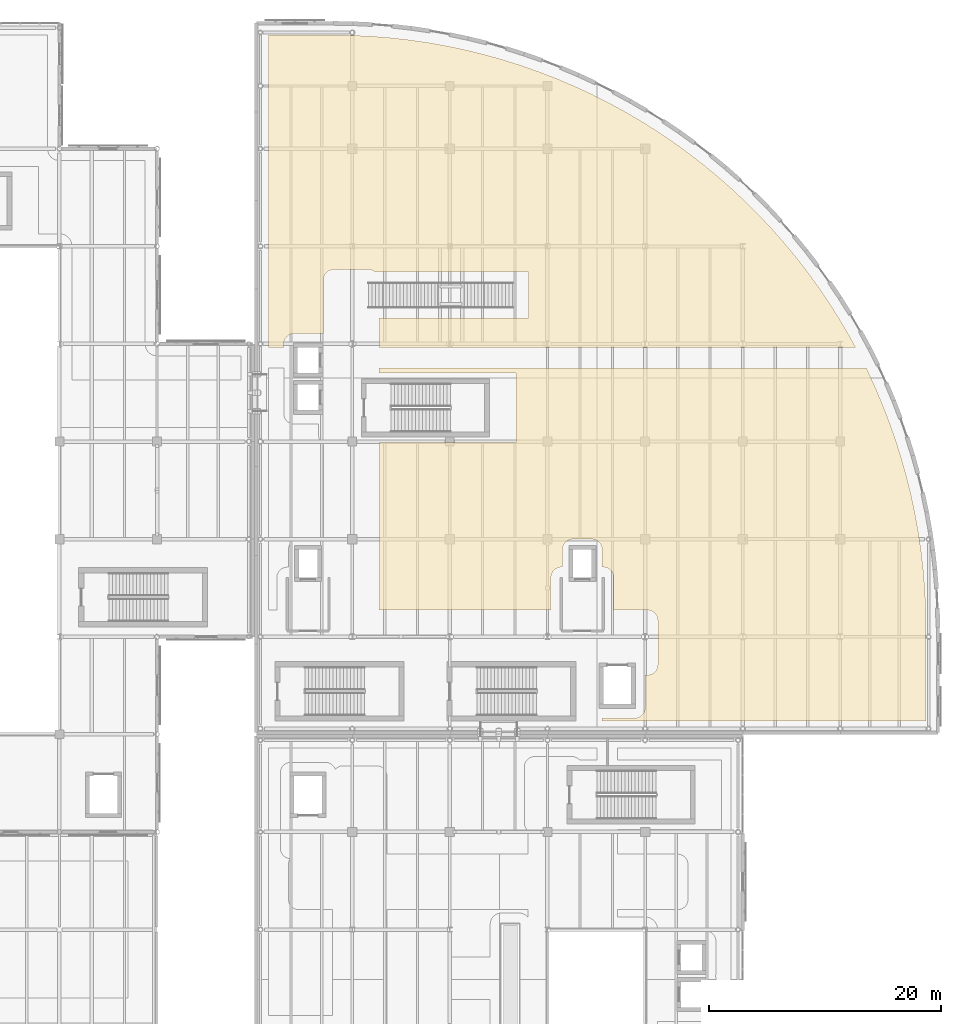
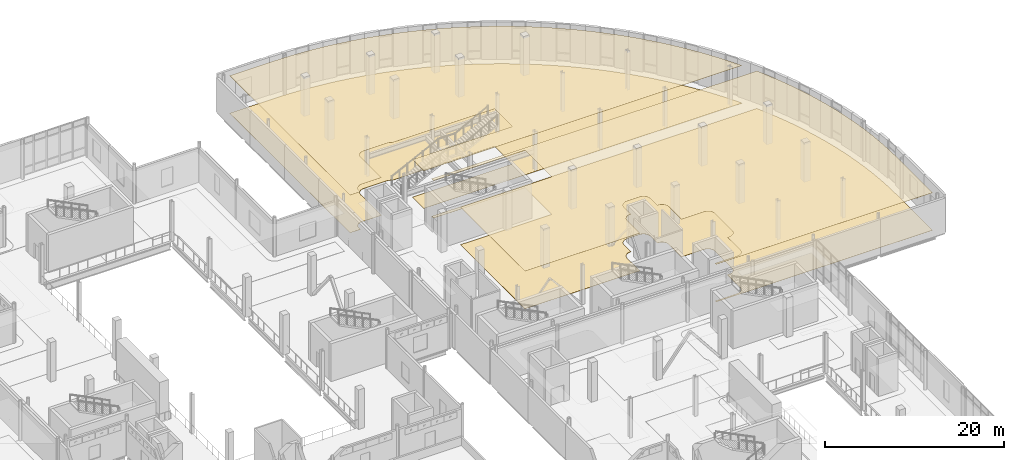
# One storey, part 108 of 110: 4 coverings.
"""IFC4 building model written with IfcOpenShell, lengths in metres."""

import ifcopenshell
import ifcopenshell.guid

model = None  # the IFC model being written
_history = None  # IfcOwnerHistory: only IFC2X3 demands one
_inside = {}  # id of a spatial element -> (the spatial element, [elements in it])
_under = {}  # id of a project, library or spatial element -> (it, [spatial elements below it])
_declared = {}  # id of a project -> (the project, [libraries it declares])
_typed = {}  # id of a type object -> (the type object, [elements of that type])
_made_of = {}  # id of a material, layer set ... -> (it, [elements and type objects made of it])


def new_model(schema):
    """Start an empty IFC model of exactly this schema.

    Asked for "IFC4X3", IfcOpenShell would pick the latest addendum, in which some entities
    have other attributes; the version numbers below select the first issue.
    IFC2X3 requires an IfcOwnerHistory on every rooted entity: one is made here for all.
    """
    global model, _history
    if schema == "IFC4X3":
        model = ifcopenshell.file(schema_version=(4, 3, 0, 0))
    else:
        model = ifcopenshell.file(schema=schema)
    _inside.clear()
    _under.clear()
    _declared.clear()
    _typed.clear()
    _made_of.clear()
    _history = None
    if model.schema == "IFC2X3":
        org = make("IfcOrganization", Name="unknown")
        user = make(
            "IfcPersonAndOrganization",
            ThePerson=make("IfcPerson", FamilyName="unknown"),
            TheOrganization=org,
        )
        app = make(
            "IfcApplication",
            ApplicationDeveloper=org,
            Version="unknown",
            ApplicationFullName="unknown",
            ApplicationIdentifier="unknown",
        )
        _history = make(
            "IfcOwnerHistory",
            OwningUser=user,
            OwningApplication=app,
            ChangeAction="ADDED",
            CreationDate=0,
        )
    return model


def make(cls, **values):
    """One entity of the class cls with the attributes given. An attribute that is None is left unset."""
    return model.create_entity(
        cls, **{name: value for name, value in values.items() if value is not None}
    )


def rooted(cls, **values):
    """An entity with a GlobalId (a new one), such as an element, a storey or a relation."""
    return make(cls, GlobalId=ifcopenshell.guid.new(), OwnerHistory=_history, **values)


def si_unit(unit_type, name, prefix=None):
    """IfcSIUnit, for example si_unit("LENGTHUNIT", "METRE", prefix="MILLI")."""
    return make("IfcSIUnit", UnitType=unit_type, Prefix=prefix, Name=name)


def assignment(units):
    """IfcUnitAssignment: the units of a project."""
    return None if units is None else make("IfcUnitAssignment", Units=units)


def point(xyz):
    """IfcCartesianPoint."""
    return None if xyz is None else make("IfcCartesianPoint", Coordinates=xyz)


def direction(xyz):
    """IfcDirection."""
    return None if xyz is None else make("IfcDirection", DirectionRatios=xyz)


def frame(location, z_axis=None, x_axis=None):
    """IfcAxis2Placement3D, a coordinate frame: its origin and axes. An axis left out is left unset."""
    return make(
        "IfcAxis2Placement3D",
        Location=point(location),
        Axis=direction(z_axis),
        RefDirection=direction(x_axis),
    )


def origin():
    """The frame at (0, 0, 0) with its axes left unset."""
    return frame((0.0, 0.0, 0.0))


def place(relative_to, where):
    """IfcLocalPlacement: puts the frame where relative to a parent placement (None: the world)."""
    return make(
        "IfcLocalPlacement", PlacementRelTo=relative_to, RelativePlacement=where
    )


def context(
    kind, dimensions, precision=None, world=None, true_north=None, identifier=None
):
    """IfcGeometricRepresentationContext, for example the 3D "Model" context."""
    return make(
        "IfcGeometricRepresentationContext",
        ContextIdentifier=identifier,
        ContextType=kind,
        CoordinateSpaceDimension=dimensions,
        Precision=precision,
        WorldCoordinateSystem=world,
        TrueNorth=true_north,
    )


def subcontext(parent, identifier, kind, view, scale=None):
    """IfcGeometricRepresentationSubContext, for example "Body" below "Model"."""
    return make(
        "IfcGeometricRepresentationSubContext",
        ContextIdentifier=identifier,
        ContextType=kind,
        ParentContext=parent,
        TargetScale=scale,
        TargetView=view,
    )


def project(units=None, contexts=None):
    """IfcProject with its units and contexts."""
    return rooted(
        "IfcProject",
        Name="project",
        RepresentationContexts=contexts,
        UnitsInContext=assignment(units),
    )


def spatial(cls, under=None, at=None, **own):
    """A site, building, storey or space (cls), placed at a placement, below another one or the project."""
    s = rooted(cls, ObjectPlacement=at, **own)
    if under is not None:
        _under.setdefault(under.id(), (under, []))[1].append(s)
    return s


def polyline(points):
    """IfcPolyline through the points."""
    return make("IfcPolyline", Points=[point(p) for p in points])


def outline(outer, holes=None, kind="AREA"):
    """IfcArbitraryClosedProfileDef: a profile drawn as a closed curve; with holes, ...WithVoids."""
    if holes is None:
        return make("IfcArbitraryClosedProfileDef", ProfileType=kind, OuterCurve=outer)
    return make(
        "IfcArbitraryProfileDefWithVoids",
        ProfileType=kind,
        OuterCurve=outer,
        InnerCurves=holes,
    )


def extrude(swept, where, along, depth):
    """IfcExtrudedAreaSolid: the profile swept, set in the frame where, extruded along a direction by depth."""
    return make(
        "IfcExtrudedAreaSolid",
        SweptArea=swept,
        Position=where,
        ExtrudedDirection=direction(along),
        Depth=depth,
    )


def shape(context_of_items, identifier, shape_type, items):
    """IfcShapeRepresentation: the items that make up one representation, for example the "Body"."""
    return make(
        "IfcShapeRepresentation",
        ContextOfItems=context_of_items,
        RepresentationIdentifier=identifier,
        RepresentationType=shape_type,
        Items=items,
    )


def material(Name=None, Category=None):
    """IfcMaterial."""
    return make("IfcMaterial", Name=Name, Category=Category)


def layer(
    of_material, thickness, ventilated=None, Name=None, Category=None, Priority=None
):
    """IfcMaterialLayer: one layer of a wall or slab, of a material (None: an air gap)."""
    return make(
        "IfcMaterialLayer",
        Material=of_material,
        LayerThickness=thickness,
        IsVentilated=ventilated,
        Name=Name,
        Category=Category,
        Priority=Priority,
    )


def layer_set(layers, Name=None):
    """IfcMaterialLayerSet."""
    return make("IfcMaterialLayerSet", MaterialLayers=layers, LayerSetName=Name)


def made_of(thing, what):
    """Note that an element or type object is made of a material, layer set ...; save() writes the relation."""
    if what is not None:
        _made_of.setdefault(what.id(), (what, []))[1].append(thing)
    return thing


def type_object(cls, material=None, **own):
    """A type object (cls), such as IfcWallType, which elements share."""
    return made_of(rooted(cls, **own), material)


def element(
    cls,
    number,
    at=None,
    inside=None,
    cuts=None,
    type_object=None,
    material=None,
    context=None,
    identifier="Body",
    shape_type=None,
    held_by="IfcProductDefinitionShape",
    body=None,
    shapes=None,
    **own,
):
    """One element of the class cls, such as IfcWall. Its Tag is "e" and its number.

    at: its placement. inside: the storey or other place that contains it. cuts: it is an
    opening in that element (IfcRelVoidsElement). A single representation is given by context,
    identifier, shape_type and body (its items); several are given by shapes. held_by: the class
    of the entity that holds the representations. save() writes the other relations.
    """
    e = rooted(cls, Tag="e%d" % number, ObjectPlacement=at, **own)
    if body is not None:
        shapes = [shape(context, identifier, shape_type, body)]
    if shapes is not None:
        e.Representation = make(held_by, Representations=shapes)
    if inside is not None:
        _inside.setdefault(inside.id(), (inside, []))[1].append(e)
    if cuts is not None:
        rooted(
            "IfcRelVoidsElement", RelatingBuildingElement=cuts, RelatedOpeningElement=e
        )
    if type_object is not None:
        _typed.setdefault(type_object.id(), (type_object, []))[1].append(e)
    return made_of(e, material)


def aggregate(whole, parts):
    """IfcRelAggregates: a whole, such as a stair, and the parts it consists of."""
    return rooted("IfcRelAggregates", RelatingObject=whole, RelatedObjects=parts)


def save(model, path):
    """Write the relations noted so far, then the file.

    IfcRelAggregates (storeys below a building ...), IfcRelContainedInSpatialStructure (elements
    in a storey), IfcRelDefinesByType, IfcRelAssociatesMaterial and IfcRelDeclares: one each for
    every whole, place, type object, material and project.
    """
    for whole, parts in _under.values():
        aggregate(whole, parts)
    for where, things in _inside.values():
        rooted(
            "IfcRelContainedInSpatialStructure",
            RelatedElements=things,
            RelatingStructure=where,
        )
    for kind, things in _typed.values():
        rooted("IfcRelDefinesByType", RelatedObjects=things, RelatingType=kind)
    for what, things in _made_of.values():
        rooted("IfcRelAssociatesMaterial", RelatedObjects=things, RelatingMaterial=what)
    for by, libraries in _declared.values():
        rooted("IfcRelDeclares", RelatingContext=by, RelatedDefinitions=libraries)
    model.write(path)


model = new_model("IFC4")

# Units and contexts
model_context = context("Model", 3, precision=1e-05, world=origin(), true_north=direction((0.0, 1.0)))
body_context = subcontext(model_context, "Body", "Model", "MODEL_VIEW")
ifc_project = project(units=[si_unit("LENGTHUNIT", "METRE"), si_unit("AREAUNIT", "SQUARE_METRE"), si_unit("VOLUMEUNIT", "CUBIC_METRE"), si_unit("PLANEANGLEUNIT", "RADIAN"), si_unit("MASSUNIT", "GRAM", prefix="KILO"), si_unit("THERMODYNAMICTEMPERATUREUNIT", "KELVIN")], contexts=[model_context])

# Site, building, storey
site_placement = place(None, origin())
site = spatial("IfcSite", under=ifc_project, at=site_placement, CompositionType="ELEMENT")
building_placement = place(site_placement, origin())
building = spatial("IfcBuilding", under=site, at=building_placement, Name="Lustrewick Department Store", CompositionType="ELEMENT")
storey_placement = place(building_placement, frame((0.0, 0.0, 6.0)))
storey = spatial("IfcBuildingStorey", under=building, at=storey_placement, Name="L02", CompositionType="ELEMENT", Elevation=6.0)

# Coverings
ifc_material_1 = material(Name="Perforated mineral-fibre acoustic ceiling board", Category="gypsum")
ifc_layer_1 = layer(ifc_material_1, 0.02490234375, Name="Perforated mineral-fibre acoustic ceiling board")
ifc_layer_set_1 = layer_set([ifc_layer_1], Name="Perforated mineral-fibre acoustic ceiling board")
covering_type_1 = type_object("IfcCoveringType", Name="COV-CEIL", PredefinedType="CEILING", material=ifc_layer_set_1)
covering_1_placement = place(storey_placement, frame((0.0, 0.0, 5.1201171875)))
element("IfcCovering", 1, at=covering_1_placement, inside=storey, type_object=covering_type_1, Name="L02 Womenswear Fashion Boutique Acoustic Ceiling", PredefinedType="CEILING", context=body_context, shape_type="SweptSolid", body=[
    extrude(outline(polyline([(139.080078125, 51.81005859375), (139.080078125, 51.570068359375), (166.97998046875, 51.570068359375), (166.97998046875, 59.591796875), (166.95361328125, 61.23388671875), (166.875244140625, 62.8662109375), (166.744384765625, 64.495361328125), (166.561279296875, 66.119140625), (166.326416015625, 67.736328125), (166.039794921875, 69.34521484375), (165.701904296875, 70.944091796875), (165.3125, 72.53125), (164.872802734375, 74.105224609375), (164.3828125, 75.664306640625), (163.843017578125, 77.206787109375), (163.254150390625, 78.731201171875), (162.61669921875, 80.235595703125), (161.93115234375, 81.719482421875), (161.832763671875, 81.915771484375), (119.889892578125, 81.915771484375), (119.889892578125, 81.489990234375), (129.0029296875, 81.489990234375), (129.087646484375, 81.48583984375), (129.126708984375, 81.47998046875), (131.679931640625, 81.47998046875), (131.679931640625, 75.52001953125), (129.126708984375, 75.52001953125), (129.087646484375, 75.51416015625), (129.0029296875, 75.510009765625), (119.889892578125, 75.510009765625), (119.889892578125, 61.090087890625), (134.7099609375, 61.090087890625), (134.7099609375, 63.903076171875), (134.714111328125, 63.98779296875), (134.726806640625, 64.071533203125), (134.727294921875, 64.074951171875), (134.731201171875, 64.092529296875), (134.731689453125, 64.095703125), (134.75439453125, 64.178466796875), (134.785400390625, 64.258544921875), (134.787841796875, 64.263671875), (134.821044921875, 64.33056640625), (134.8232421875, 64.33447265625), (134.86083984375, 64.39599609375), (134.903564453125, 64.4541015625), (134.906982421875, 64.45849609375), (134.970703125, 64.529296875), (135.04150390625, 64.593017578125), (135.0458984375, 64.596435546875), (135.10400390625, 64.63916015625), (135.16552734375, 64.6767578125), (135.16943359375, 64.678955078125), (135.236328125, 64.712158203125), (135.241455078125, 64.714599609375), (135.321533203125, 64.74560546875), (135.404296875, 64.768310546875), (135.407470703125, 64.768798828125), (135.425048828125, 64.772705078125), (135.428466796875, 64.773193359375), (135.51220703125, 64.785888671875), (135.596923828125, 64.7900390625), (135.699951171875, 64.7900390625), (135.699951171875, 66.301025390625), (135.700927734375, 66.343017578125), (135.701416015625, 66.34814453125), (135.71044921875, 66.43701171875), (135.71142578125, 66.443115234375), (135.72900390625, 66.52587890625), (135.72998046875, 66.53076171875), (135.741455078125, 66.56982421875), (135.742919921875, 66.574462890625), (135.769775390625, 66.6474609375), (135.802978515625, 66.7177734375), (135.80517578125, 66.721923828125), (135.823486328125, 66.7548828125), (135.82568359375, 66.758544921875), (135.857421875, 66.80859375), (135.8603515625, 66.812744140625), (135.907958984375, 66.87548828125), (135.9609375, 66.93359375), (135.96630859375, 66.93896484375), (136.0244140625, 66.9921875), (136.087158203125, 67.03955078125), (136.091552734375, 67.04248046875), (136.1416015625, 67.074462890625), (136.145263671875, 67.07666015625), (136.177978515625, 67.094970703125), (136.18212890625, 67.09716796875), (136.25244140625, 67.13037109375), (136.32568359375, 67.156982421875), (136.330078125, 67.158447265625), (136.369384765625, 67.169921875), (136.3740234375, 67.171142578125), (136.456787109375, 67.1884765625), (136.462890625, 67.189453125), (136.552001953125, 67.19873046875), (136.55712890625, 67.198974609375), (136.59912109375, 67.199951171875), (138.200927734375, 67.199951171875), (138.242919921875, 67.198974609375), (138.248046875, 67.19873046875), (138.337158203125, 67.189453125), (138.343017578125, 67.1884765625), (138.42578125, 67.171142578125), (138.4306640625, 67.169921875), (138.469970703125, 67.158447265625), (138.474365234375, 67.156982421875), (138.547607421875, 67.13037109375), (138.617919921875, 67.09716796875), (138.621826171875, 67.094970703125), (138.65478515625, 67.07666015625), (138.658447265625, 67.074462890625), (138.70849609375, 67.04248046875), (138.712890625, 67.03955078125), (138.775390625, 66.9921875), (138.833740234375, 66.93896484375), (138.839111328125, 66.93359375), (138.89208984375, 66.87548828125), (138.939697265625, 66.812744140625), (138.942626953125, 66.80859375), (138.974365234375, 66.758544921875), (138.9765625, 66.7548828125), (138.994873046875, 66.721923828125), (138.9970703125, 66.7177734375), (139.0302734375, 66.6474609375), (139.05712890625, 66.574462890625), (139.05859375, 66.56982421875), (139.06982421875, 66.53076171875), (139.071044921875, 66.52587890625), (139.08837890625, 66.443115234375), (139.089599609375, 66.43701171875), (139.0986328125, 66.34814453125), (139.09912109375, 66.343017578125), (139.10009765625, 66.301025390625), (139.10009765625, 64.7900390625), (139.202880859375, 64.7900390625), (139.28759765625, 64.785888671875), (139.37158203125, 64.773193359375), (139.375, 64.772705078125), (139.392578125, 64.768798828125), (139.395751953125, 64.768310546875), (139.478515625, 64.74560546875), (139.55859375, 64.714599609375), (139.563720703125, 64.712158203125), (139.630615234375, 64.678955078125), (139.634521484375, 64.6767578125), (139.69580078125, 64.63916015625), (139.75390625, 64.596435546875), (139.758544921875, 64.593017578125), (139.829345703125, 64.529296875), (139.892822265625, 64.45849609375), (139.896484375, 64.4541015625), (139.939208984375, 64.39599609375), (139.976806640625, 64.33447265625), (139.97900390625, 64.33056640625), (140.01220703125, 64.263671875), (140.013427734375, 64.26123046875), (140.0146484375, 64.258544921875), (140.04541015625, 64.178466796875), (140.068115234375, 64.095703125), (140.06884765625, 64.092529296875), (140.072509765625, 64.074951171875), (140.0732421875, 64.071533203125), (140.085693359375, 63.98779296875), (140.090087890625, 63.903076171875), (140.090087890625, 61.090087890625), (143.0029296875, 61.090087890625), (143.087646484375, 61.085693359375), (143.171630859375, 61.0732421875), (143.175048828125, 61.072509765625), (143.1923828125, 61.06884765625), (143.19580078125, 61.068115234375), (143.278564453125, 61.04541015625), (143.3583984375, 61.0146484375), (143.361083984375, 61.013427734375), (143.36376953125, 61.01220703125), (143.430419921875, 60.97900390625), (143.434326171875, 60.976806640625), (143.495849609375, 60.939208984375), (143.553955078125, 60.896484375), (143.55859375, 60.892822265625), (143.62939453125, 60.829345703125), (143.69287109375, 60.758544921875), (143.696533203125, 60.75390625), (143.739013671875, 60.69580078125), (143.776611328125, 60.634521484375), (143.77880859375, 60.630615234375), (143.812255859375, 60.563720703125), (143.814697265625, 60.55859375), (143.845458984375, 60.478515625), (143.8681640625, 60.395751953125), (143.868896484375, 60.392578125), (143.87255859375, 60.375), (143.873291015625, 60.37158203125), (143.8857421875, 60.28759765625), (143.889892578125, 60.202880859375), (143.889892578125, 56.39697265625), (143.8857421875, 56.312255859375), (143.873291015625, 56.228515625), (143.87255859375, 56.22509765625), (143.868896484375, 56.20751953125), (143.8681640625, 56.204345703125), (143.845458984375, 56.12158203125), (143.814697265625, 56.04150390625), (143.812255859375, 56.036376953125), (143.77880859375, 55.969482421875), (143.776611328125, 55.965576171875), (143.739013671875, 55.904052734375), (143.696533203125, 55.845947265625), (143.69287109375, 55.84130859375), (143.62939453125, 55.7705078125), (143.55859375, 55.70703125), (143.553955078125, 55.70361328125), (143.495849609375, 55.660888671875), (143.434326171875, 55.623291015625), (143.430419921875, 55.62109375), (143.36376953125, 55.587890625), (143.3583984375, 55.58544921875), (143.278564453125, 55.554443359375), (143.19580078125, 55.53173828125), (143.1923828125, 55.531005859375), (143.175048828125, 55.52734375), (143.171630859375, 55.526611328125), (143.087646484375, 55.51416015625), (143.0029296875, 55.510009765625), (142.7900390625, 55.510009765625), (142.7900390625, 52.697021484375), (142.785888671875, 52.6123046875), (142.773193359375, 52.5283203125), (142.772705078125, 52.52490234375), (142.768798828125, 52.507568359375), (142.768310546875, 52.50439453125), (142.74560546875, 52.42138671875), (142.714599609375, 52.341552734375), (142.712158203125, 52.336181640625), (142.678955078125, 52.26953125), (142.6767578125, 52.265625), (142.63916015625, 52.2041015625), (142.596435546875, 52.14599609375), (142.593017578125, 52.141357421875), (142.529296875, 52.070556640625), (142.45849609375, 52.007080078125), (142.4541015625, 52.00341796875), (142.39599609375, 51.9609375), (142.33447265625, 51.92333984375), (142.33056640625, 51.921142578125), (142.263671875, 51.8876953125), (142.258544921875, 51.885498046875), (142.178466796875, 51.8544921875), (142.095703125, 51.831787109375), (142.092529296875, 51.8310546875), (142.074951171875, 51.827392578125), (142.071533203125, 51.82666015625), (141.98779296875, 51.814208984375), (141.903076171875, 51.81005859375), (139.080078125, 51.81005859375)])), origin(), (0.0, 0.0, 1.0), 0.02490234375),
])
covering_2_placement = place(storey_placement, frame((0.0, 0.0, 5.1201171875)))
element("IfcCovering", 2, at=covering_2_placement, inside=storey, type_object=covering_type_1, Name="L02 Accessory Design Boutique Acoustic Ceiling", PredefinedType="CEILING", context=body_context, shape_type="SweptSolid", body=[
    extrude(outline(polyline([(115.991943359375, 110.580078125), (110.3701171875, 110.580078125), (110.3701171875, 83.67578125), (111.7099609375, 83.67578125), (111.7099609375, 84.0029296875), (111.714111328125, 84.087646484375), (111.726806640625, 84.171630859375), (111.727294921875, 84.175048828125), (111.731201171875, 84.1923828125), (111.731689453125, 84.19580078125), (111.75439453125, 84.278564453125), (111.785400390625, 84.3583984375), (111.787841796875, 84.36376953125), (111.821044921875, 84.430419921875), (111.8232421875, 84.434326171875), (111.86083984375, 84.495849609375), (111.903564453125, 84.553955078125), (111.906982421875, 84.55859375), (111.970703125, 84.62939453125), (112.04150390625, 84.69287109375), (112.0458984375, 84.696533203125), (112.10400390625, 84.739013671875), (112.16552734375, 84.776611328125), (112.16943359375, 84.77880859375), (112.236328125, 84.812255859375), (112.23876953125, 84.8134765625), (112.241455078125, 84.814697265625), (112.321533203125, 84.845458984375), (112.404296875, 84.8681640625), (112.407470703125, 84.868896484375), (112.425048828125, 84.87255859375), (112.428466796875, 84.873291015625), (112.51220703125, 84.8857421875), (112.596923828125, 84.889892578125), (115.110107421875, 84.889892578125), (115.110107421875, 89.5029296875), (115.1142578125, 89.587646484375), (115.126708984375, 89.671630859375), (115.12744140625, 89.675048828125), (115.131103515625, 89.6923828125), (115.1318359375, 89.69580078125), (115.154541015625, 89.778564453125), (115.185302734375, 89.8583984375), (115.1865234375, 89.861083984375), (115.187744140625, 89.86376953125), (115.22119140625, 89.930419921875), (115.223388671875, 89.934326171875), (115.260986328125, 89.995849609375), (115.303466796875, 90.053955078125), (115.30712890625, 90.05859375), (115.37060546875, 90.12939453125), (115.44140625, 90.19287109375), (115.446044921875, 90.196533203125), (115.504150390625, 90.239013671875), (115.565673828125, 90.276611328125), (115.569580078125, 90.27880859375), (115.63623046875, 90.312255859375), (115.638916015625, 90.3134765625), (115.6416015625, 90.314697265625), (115.721435546875, 90.345458984375), (115.80419921875, 90.3681640625), (115.8076171875, 90.368896484375), (115.824951171875, 90.37255859375), (115.828369140625, 90.373291015625), (115.912353515625, 90.3857421875), (115.9970703125, 90.389892578125), (119.0029296875, 90.389892578125), (119.087646484375, 90.3857421875), (119.171630859375, 90.373291015625), (119.175048828125, 90.37255859375), (119.1923828125, 90.368896484375), (119.19580078125, 90.3681640625), (119.278564453125, 90.345458984375), (119.3583984375, 90.314697265625), (119.361083984375, 90.3134765625), (119.36376953125, 90.312255859375), (119.430419921875, 90.27880859375), (119.434326171875, 90.276611328125), (119.495849609375, 90.239013671875), (119.553955078125, 90.196533203125), (119.55859375, 90.19287109375), (119.572998046875, 90.179931640625), (132.780029296875, 90.179931640625), (132.780029296875, 86.219970703125), (119.889892578125, 86.219970703125), (119.889892578125, 83.67578125), (160.929931640625, 83.67578125), (160.419677734375, 84.61669921875), (159.59521484375, 86.027587890625), (158.7255859375, 87.411376953125), (157.8125, 88.7666015625), (156.85595703125, 90.091552734375), (155.857666015625, 91.385498046875), (154.818359375, 92.646484375), (153.7392578125, 93.873779296875), (152.621337890625, 95.06591796875), (151.4658203125, 96.221435546875), (150.273681640625, 97.33935546875), (149.046630859375, 98.41845703125), (147.785400390625, 99.45751953125), (146.49169921875, 100.4560546875), (145.16650390625, 101.412353515625), (143.811279296875, 102.32568359375), (142.427490234375, 103.195068359375), (141.0166015625, 104.019775390625), (139.580078125, 104.798828125), (138.119384765625, 105.53125), (136.6357421875, 106.216796875), (135.131103515625, 106.85400390625), (133.606689453125, 107.443115234375), (132.064208984375, 107.982666015625), (130.505126953125, 108.472900390625), (128.93115234375, 108.91259765625), (127.343994140625, 109.3017578125), (125.7451171875, 109.639892578125), (124.136474609375, 109.926513671875), (122.519287109375, 110.161376953125), (120.895263671875, 110.34423828125), (119.266357421875, 110.47509765625), (117.634033203125, 110.5537109375), (115.991943359375, 110.580078125)])), origin(), (0.0, 0.0, 1.0), 0.02490234375),
])
ifc_material_2 = material(Name="Polished terrazzo and porcelain floor finish", Category="masonry")
ifc_layer_2 = layer(ifc_material_2, 0.02001953125, Name="Polished terrazzo and porcelain floor finish")
ifc_layer_set_2 = layer_set([ifc_layer_2], Name="Polished terrazzo and porcelain floor finish")
covering_type_2 = type_object("IfcCoveringType", Name="COV-FLR", PredefinedType="FLOORING", material=ifc_layer_set_2)
covering_3_placement = place(storey_placement, origin())
element("IfcCovering", 3, at=covering_3_placement, inside=storey, type_object=covering_type_2, Name="L02 Womenswear Fashion Boutique Terrazzo Flooring", PredefinedType="FLOORING", context=body_context, shape_type="SweptSolid", body=[
    extrude(outline(polyline([(139.080078125, 51.81005859375), (139.080078125, 51.570068359375), (166.97998046875, 51.570068359375), (166.97998046875, 59.591796875), (166.95361328125, 61.23388671875), (166.875244140625, 62.8662109375), (166.744384765625, 64.495361328125), (166.561279296875, 66.119140625), (166.326416015625, 67.736328125), (166.039794921875, 69.34521484375), (165.701904296875, 70.944091796875), (165.3125, 72.53125), (164.872802734375, 74.105224609375), (164.3828125, 75.664306640625), (163.843017578125, 77.206787109375), (163.254150390625, 78.731201171875), (162.61669921875, 80.235595703125), (161.93115234375, 81.719482421875), (161.832763671875, 81.915771484375), (119.889892578125, 81.915771484375), (119.889892578125, 81.489990234375), (129.0029296875, 81.489990234375), (129.087646484375, 81.48583984375), (129.126708984375, 81.47998046875), (131.679931640625, 81.47998046875), (131.679931640625, 75.52001953125), (129.126708984375, 75.52001953125), (129.087646484375, 75.51416015625), (129.0029296875, 75.510009765625), (119.889892578125, 75.510009765625), (119.889892578125, 61.090087890625), (134.7099609375, 61.090087890625), (134.7099609375, 63.903076171875), (134.714111328125, 63.98779296875), (134.726806640625, 64.071533203125), (134.727294921875, 64.074951171875), (134.731201171875, 64.092529296875), (134.731689453125, 64.095703125), (134.75439453125, 64.178466796875), (134.785400390625, 64.258544921875), (134.787841796875, 64.263671875), (134.821044921875, 64.33056640625), (134.8232421875, 64.33447265625), (134.86083984375, 64.39599609375), (134.903564453125, 64.4541015625), (134.906982421875, 64.45849609375), (134.970703125, 64.529296875), (135.04150390625, 64.593017578125), (135.0458984375, 64.596435546875), (135.10400390625, 64.63916015625), (135.16552734375, 64.6767578125), (135.16943359375, 64.678955078125), (135.236328125, 64.712158203125), (135.241455078125, 64.714599609375), (135.321533203125, 64.74560546875), (135.404296875, 64.768310546875), (135.407470703125, 64.768798828125), (135.425048828125, 64.772705078125), (135.428466796875, 64.773193359375), (135.51220703125, 64.785888671875), (135.596923828125, 64.7900390625), (135.699951171875, 64.7900390625), (135.699951171875, 66.301025390625), (135.700927734375, 66.343017578125), (135.701416015625, 66.34814453125), (135.71044921875, 66.43701171875), (135.71142578125, 66.443115234375), (135.72900390625, 66.52587890625), (135.72998046875, 66.53076171875), (135.741455078125, 66.56982421875), (135.742919921875, 66.574462890625), (135.769775390625, 66.6474609375), (135.802978515625, 66.7177734375), (135.80517578125, 66.721923828125), (135.823486328125, 66.7548828125), (135.82568359375, 66.758544921875), (135.857421875, 66.80859375), (135.8603515625, 66.812744140625), (135.907958984375, 66.87548828125), (135.9609375, 66.93359375), (135.96630859375, 66.93896484375), (136.0244140625, 66.9921875), (136.087158203125, 67.03955078125), (136.091552734375, 67.04248046875), (136.1416015625, 67.074462890625), (136.145263671875, 67.07666015625), (136.177978515625, 67.094970703125), (136.18212890625, 67.09716796875), (136.25244140625, 67.13037109375), (136.32568359375, 67.156982421875), (136.330078125, 67.158447265625), (136.369384765625, 67.169921875), (136.3740234375, 67.171142578125), (136.456787109375, 67.1884765625), (136.462890625, 67.189453125), (136.552001953125, 67.19873046875), (136.55712890625, 67.198974609375), (136.59912109375, 67.199951171875), (138.200927734375, 67.199951171875), (138.242919921875, 67.198974609375), (138.248046875, 67.19873046875), (138.337158203125, 67.189453125), (138.343017578125, 67.1884765625), (138.42578125, 67.171142578125), (138.4306640625, 67.169921875), (138.469970703125, 67.158447265625), (138.474365234375, 67.156982421875), (138.547607421875, 67.13037109375), (138.617919921875, 67.09716796875), (138.621826171875, 67.094970703125), (138.65478515625, 67.07666015625), (138.658447265625, 67.074462890625), (138.70849609375, 67.04248046875), (138.712890625, 67.03955078125), (138.775390625, 66.9921875), (138.833740234375, 66.93896484375), (138.839111328125, 66.93359375), (138.89208984375, 66.87548828125), (138.939697265625, 66.812744140625), (138.942626953125, 66.80859375), (138.974365234375, 66.758544921875), (138.9765625, 66.7548828125), (138.994873046875, 66.721923828125), (138.9970703125, 66.7177734375), (139.0302734375, 66.6474609375), (139.05712890625, 66.574462890625), (139.05859375, 66.56982421875), (139.06982421875, 66.53076171875), (139.071044921875, 66.52587890625), (139.08837890625, 66.443115234375), (139.089599609375, 66.43701171875), (139.0986328125, 66.34814453125), (139.09912109375, 66.343017578125), (139.10009765625, 66.301025390625), (139.10009765625, 64.7900390625), (139.202880859375, 64.7900390625), (139.28759765625, 64.785888671875), (139.37158203125, 64.773193359375), (139.375, 64.772705078125), (139.392578125, 64.768798828125), (139.395751953125, 64.768310546875), (139.478515625, 64.74560546875), (139.55859375, 64.714599609375), (139.563720703125, 64.712158203125), (139.630615234375, 64.678955078125), (139.634521484375, 64.6767578125), (139.69580078125, 64.63916015625), (139.75390625, 64.596435546875), (139.758544921875, 64.593017578125), (139.829345703125, 64.529296875), (139.892822265625, 64.45849609375), (139.896484375, 64.4541015625), (139.939208984375, 64.39599609375), (139.976806640625, 64.33447265625), (139.97900390625, 64.33056640625), (140.01220703125, 64.263671875), (140.013427734375, 64.26123046875), (140.0146484375, 64.258544921875), (140.04541015625, 64.178466796875), (140.068115234375, 64.095703125), (140.06884765625, 64.092529296875), (140.072509765625, 64.074951171875), (140.0732421875, 64.071533203125), (140.085693359375, 63.98779296875), (140.090087890625, 63.903076171875), (140.090087890625, 61.090087890625), (143.0029296875, 61.090087890625), (143.087646484375, 61.085693359375), (143.171630859375, 61.0732421875), (143.175048828125, 61.072509765625), (143.1923828125, 61.06884765625), (143.19580078125, 61.068115234375), (143.278564453125, 61.04541015625), (143.3583984375, 61.0146484375), (143.361083984375, 61.013427734375), (143.36376953125, 61.01220703125), (143.430419921875, 60.97900390625), (143.434326171875, 60.976806640625), (143.495849609375, 60.939208984375), (143.553955078125, 60.896484375), (143.55859375, 60.892822265625), (143.62939453125, 60.829345703125), (143.69287109375, 60.758544921875), (143.696533203125, 60.75390625), (143.739013671875, 60.69580078125), (143.776611328125, 60.634521484375), (143.77880859375, 60.630615234375), (143.812255859375, 60.563720703125), (143.814697265625, 60.55859375), (143.845458984375, 60.478515625), (143.8681640625, 60.395751953125), (143.868896484375, 60.392578125), (143.87255859375, 60.375), (143.873291015625, 60.37158203125), (143.8857421875, 60.28759765625), (143.889892578125, 60.202880859375), (143.889892578125, 56.39697265625), (143.8857421875, 56.312255859375), (143.873291015625, 56.228515625), (143.87255859375, 56.22509765625), (143.868896484375, 56.20751953125), (143.8681640625, 56.204345703125), (143.845458984375, 56.12158203125), (143.814697265625, 56.04150390625), (143.812255859375, 56.036376953125), (143.77880859375, 55.969482421875), (143.776611328125, 55.965576171875), (143.739013671875, 55.904052734375), (143.696533203125, 55.845947265625), (143.69287109375, 55.84130859375), (143.62939453125, 55.7705078125), (143.55859375, 55.70703125), (143.553955078125, 55.70361328125), (143.495849609375, 55.660888671875), (143.434326171875, 55.623291015625), (143.430419921875, 55.62109375), (143.36376953125, 55.587890625), (143.3583984375, 55.58544921875), (143.278564453125, 55.554443359375), (143.19580078125, 55.53173828125), (143.1923828125, 55.531005859375), (143.175048828125, 55.52734375), (143.171630859375, 55.526611328125), (143.087646484375, 55.51416015625), (143.0029296875, 55.510009765625), (142.7900390625, 55.510009765625), (142.7900390625, 52.697021484375), (142.785888671875, 52.6123046875), (142.773193359375, 52.5283203125), (142.772705078125, 52.52490234375), (142.768798828125, 52.507568359375), (142.768310546875, 52.50439453125), (142.74560546875, 52.42138671875), (142.714599609375, 52.341552734375), (142.712158203125, 52.336181640625), (142.678955078125, 52.26953125), (142.6767578125, 52.265625), (142.63916015625, 52.2041015625), (142.596435546875, 52.14599609375), (142.593017578125, 52.141357421875), (142.529296875, 52.070556640625), (142.45849609375, 52.007080078125), (142.4541015625, 52.00341796875), (142.39599609375, 51.9609375), (142.33447265625, 51.92333984375), (142.33056640625, 51.921142578125), (142.263671875, 51.8876953125), (142.258544921875, 51.885498046875), (142.178466796875, 51.8544921875), (142.095703125, 51.831787109375), (142.092529296875, 51.8310546875), (142.074951171875, 51.827392578125), (142.071533203125, 51.82666015625), (141.98779296875, 51.814208984375), (141.903076171875, 51.81005859375), (139.080078125, 51.81005859375)])), origin(), (0.0, 0.0, 1.0), 0.02001953125),
])
covering_4_placement = place(storey_placement, origin())
element("IfcCovering", 4, at=covering_4_placement, inside=storey, type_object=covering_type_2, Name="L02 Accessory Design Boutique Terrazzo Flooring", PredefinedType="FLOORING", context=body_context, shape_type="SweptSolid", body=[
    extrude(outline(polyline([(115.991943359375, 110.580078125), (110.3701171875, 110.580078125), (110.3701171875, 83.67578125), (111.7099609375, 83.67578125), (111.7099609375, 84.0029296875), (111.714111328125, 84.087646484375), (111.726806640625, 84.171630859375), (111.727294921875, 84.175048828125), (111.731201171875, 84.1923828125), (111.731689453125, 84.19580078125), (111.75439453125, 84.278564453125), (111.785400390625, 84.3583984375), (111.787841796875, 84.36376953125), (111.821044921875, 84.430419921875), (111.8232421875, 84.434326171875), (111.86083984375, 84.495849609375), (111.903564453125, 84.553955078125), (111.906982421875, 84.55859375), (111.970703125, 84.62939453125), (112.04150390625, 84.69287109375), (112.0458984375, 84.696533203125), (112.10400390625, 84.739013671875), (112.16552734375, 84.776611328125), (112.16943359375, 84.77880859375), (112.236328125, 84.812255859375), (112.23876953125, 84.8134765625), (112.241455078125, 84.814697265625), (112.321533203125, 84.845458984375), (112.404296875, 84.8681640625), (112.407470703125, 84.868896484375), (112.425048828125, 84.87255859375), (112.428466796875, 84.873291015625), (112.51220703125, 84.8857421875), (112.596923828125, 84.889892578125), (115.110107421875, 84.889892578125), (115.110107421875, 89.5029296875), (115.1142578125, 89.587646484375), (115.126708984375, 89.671630859375), (115.12744140625, 89.675048828125), (115.131103515625, 89.6923828125), (115.1318359375, 89.69580078125), (115.154541015625, 89.778564453125), (115.185302734375, 89.8583984375), (115.1865234375, 89.861083984375), (115.187744140625, 89.86376953125), (115.22119140625, 89.930419921875), (115.223388671875, 89.934326171875), (115.260986328125, 89.995849609375), (115.303466796875, 90.053955078125), (115.30712890625, 90.05859375), (115.37060546875, 90.12939453125), (115.44140625, 90.19287109375), (115.446044921875, 90.196533203125), (115.504150390625, 90.239013671875), (115.565673828125, 90.276611328125), (115.569580078125, 90.27880859375), (115.63623046875, 90.312255859375), (115.638916015625, 90.3134765625), (115.6416015625, 90.314697265625), (115.721435546875, 90.345458984375), (115.80419921875, 90.3681640625), (115.8076171875, 90.368896484375), (115.824951171875, 90.37255859375), (115.828369140625, 90.373291015625), (115.912353515625, 90.3857421875), (115.9970703125, 90.389892578125), (119.0029296875, 90.389892578125), (119.087646484375, 90.3857421875), (119.171630859375, 90.373291015625), (119.175048828125, 90.37255859375), (119.1923828125, 90.368896484375), (119.19580078125, 90.3681640625), (119.278564453125, 90.345458984375), (119.3583984375, 90.314697265625), (119.361083984375, 90.3134765625), (119.36376953125, 90.312255859375), (119.430419921875, 90.27880859375), (119.434326171875, 90.276611328125), (119.495849609375, 90.239013671875), (119.553955078125, 90.196533203125), (119.55859375, 90.19287109375), (119.572998046875, 90.179931640625), (132.780029296875, 90.179931640625), (132.780029296875, 86.219970703125), (119.889892578125, 86.219970703125), (119.889892578125, 83.67578125), (160.929931640625, 83.67578125), (160.419677734375, 84.61669921875), (159.59521484375, 86.027587890625), (158.7255859375, 87.411376953125), (157.8125, 88.7666015625), (156.85595703125, 90.091552734375), (155.857666015625, 91.385498046875), (154.818359375, 92.646484375), (153.7392578125, 93.873779296875), (152.621337890625, 95.06591796875), (151.4658203125, 96.221435546875), (150.273681640625, 97.33935546875), (149.046630859375, 98.41845703125), (147.785400390625, 99.45751953125), (146.49169921875, 100.4560546875), (145.16650390625, 101.412353515625), (143.811279296875, 102.32568359375), (142.427490234375, 103.195068359375), (141.0166015625, 104.019775390625), (139.580078125, 104.798828125), (138.119384765625, 105.53125), (136.6357421875, 106.216796875), (135.131103515625, 106.85400390625), (133.606689453125, 107.443115234375), (132.064208984375, 107.982666015625), (130.505126953125, 108.472900390625), (128.93115234375, 108.91259765625), (127.343994140625, 109.3017578125), (125.7451171875, 109.639892578125), (124.136474609375, 109.926513671875), (122.519287109375, 110.161376953125), (120.895263671875, 110.34423828125), (119.266357421875, 110.47509765625), (117.634033203125, 110.5537109375), (115.991943359375, 110.580078125)])), origin(), (0.0, 0.0, 1.0), 0.02001953125),
])

save(model, "model.ifc")
